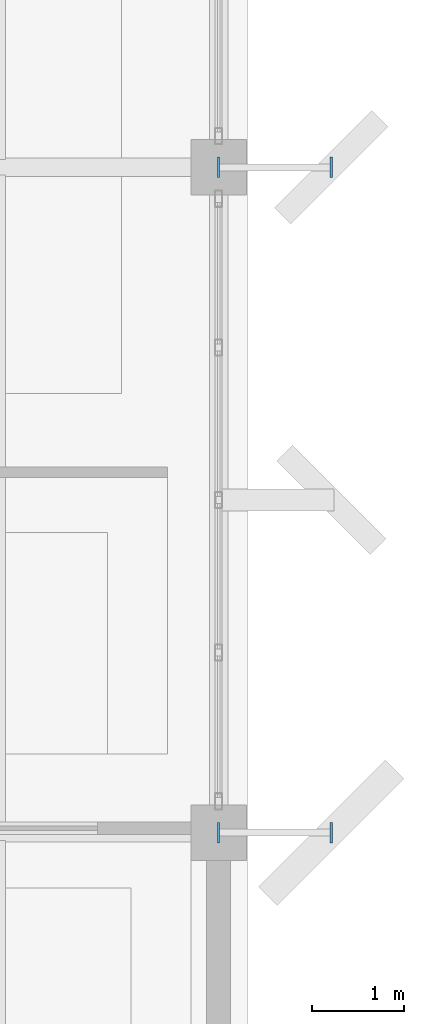
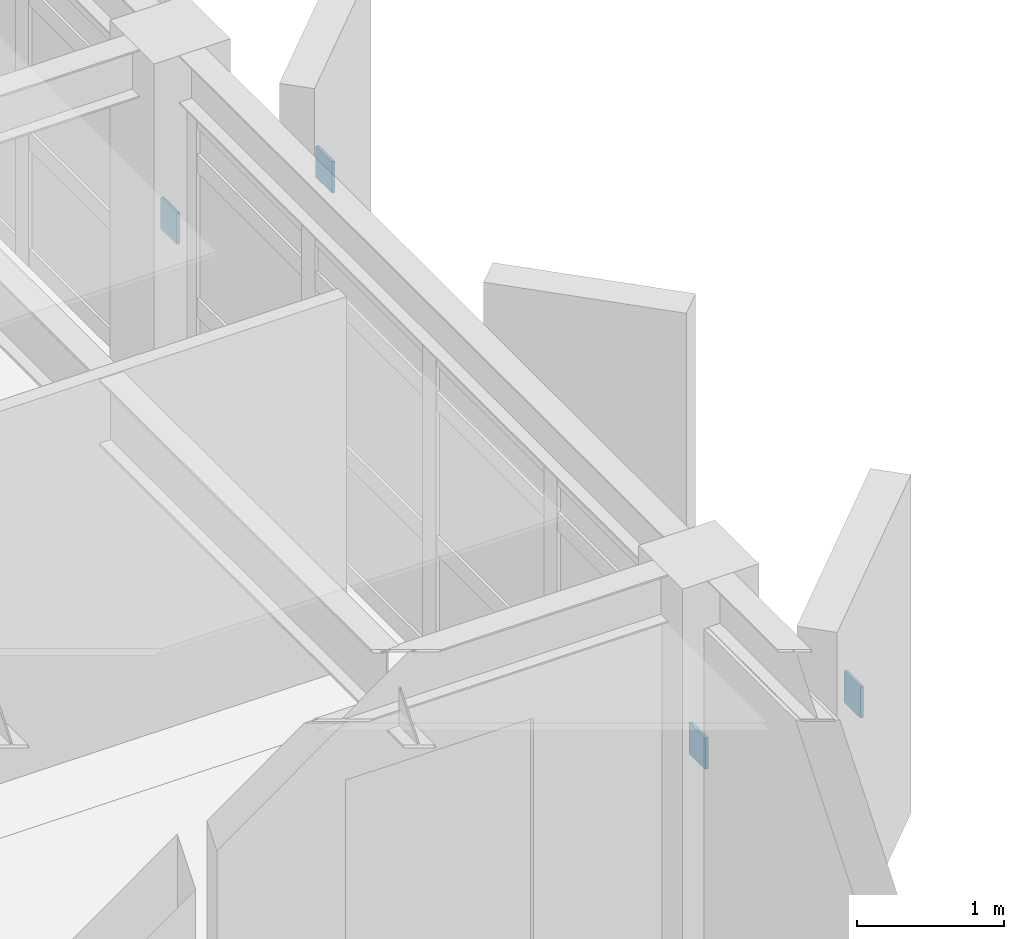
# One storey, part 14 of 15: 4 discrete accessories.
"""IFC4 building model written with IfcOpenShell, lengths in metres."""

import ifcopenshell
import ifcopenshell.guid

model = None  # the IFC model being written
_history = None  # IfcOwnerHistory: only IFC2X3 demands one
_inside = {}  # id of a spatial element -> (the spatial element, [elements in it])
_under = {}  # id of a project, library or spatial element -> (it, [spatial elements below it])
_declared = {}  # id of a project -> (the project, [libraries it declares])
_typed = {}  # id of a type object -> (the type object, [elements of that type])
_made_of = {}  # id of a material, layer set ... -> (it, [elements and type objects made of it])


def new_model(schema):
    """Start an empty IFC model of exactly this schema.

    Asked for "IFC4X3", IfcOpenShell would pick the latest addendum, in which some entities
    have other attributes; the version numbers below select the first issue.
    IFC2X3 requires an IfcOwnerHistory on every rooted entity: one is made here for all.
    """
    global model, _history
    if schema == "IFC4X3":
        model = ifcopenshell.file(schema_version=(4, 3, 0, 0))
    else:
        model = ifcopenshell.file(schema=schema)
    _inside.clear()
    _under.clear()
    _declared.clear()
    _typed.clear()
    _made_of.clear()
    _history = None
    if model.schema == "IFC2X3":
        org = make("IfcOrganization", Name="unknown")
        user = make(
            "IfcPersonAndOrganization",
            ThePerson=make("IfcPerson", FamilyName="unknown"),
            TheOrganization=org,
        )
        app = make(
            "IfcApplication",
            ApplicationDeveloper=org,
            Version="unknown",
            ApplicationFullName="unknown",
            ApplicationIdentifier="unknown",
        )
        _history = make(
            "IfcOwnerHistory",
            OwningUser=user,
            OwningApplication=app,
            ChangeAction="ADDED",
            CreationDate=0,
        )
    return model


def make(cls, **values):
    """One entity of the class cls with the attributes given. An attribute that is None is left unset."""
    return model.create_entity(
        cls, **{name: value for name, value in values.items() if value is not None}
    )


def rooted(cls, **values):
    """An entity with a GlobalId (a new one), such as an element, a storey or a relation."""
    return make(cls, GlobalId=ifcopenshell.guid.new(), OwnerHistory=_history, **values)


def si_unit(unit_type, name, prefix=None):
    """IfcSIUnit, for example si_unit("LENGTHUNIT", "METRE", prefix="MILLI")."""
    return make("IfcSIUnit", UnitType=unit_type, Prefix=prefix, Name=name)


def assignment(units):
    """IfcUnitAssignment: the units of a project."""
    return None if units is None else make("IfcUnitAssignment", Units=units)


def point(xyz):
    """IfcCartesianPoint."""
    return None if xyz is None else make("IfcCartesianPoint", Coordinates=xyz)


def direction(xyz):
    """IfcDirection."""
    return None if xyz is None else make("IfcDirection", DirectionRatios=xyz)


def frame(location, z_axis=None, x_axis=None):
    """IfcAxis2Placement3D, a coordinate frame: its origin and axes. An axis left out is left unset."""
    return make(
        "IfcAxis2Placement3D",
        Location=point(location),
        Axis=direction(z_axis),
        RefDirection=direction(x_axis),
    )


def frame_2d(location, x_axis=None):
    """IfcAxis2Placement2D, a coordinate frame in the plane: its origin and x axis."""
    return make(
        "IfcAxis2Placement2D", Location=point(location), RefDirection=direction(x_axis)
    )


def origin():
    """The frame at (0, 0, 0) with its axes left unset."""
    return frame((0.0, 0.0, 0.0))


def origin_2d():
    """The frame at (0, 0) in the plane with its x axis left unset."""
    return frame_2d((0.0, 0.0))


def place(relative_to, where):
    """IfcLocalPlacement: puts the frame where relative to a parent placement (None: the world)."""
    return make(
        "IfcLocalPlacement", PlacementRelTo=relative_to, RelativePlacement=where
    )


def context(
    kind, dimensions, precision=None, world=None, true_north=None, identifier=None
):
    """IfcGeometricRepresentationContext, for example the 3D "Model" context."""
    return make(
        "IfcGeometricRepresentationContext",
        ContextIdentifier=identifier,
        ContextType=kind,
        CoordinateSpaceDimension=dimensions,
        Precision=precision,
        WorldCoordinateSystem=world,
        TrueNorth=true_north,
    )


def subcontext(parent, identifier, kind, view, scale=None):
    """IfcGeometricRepresentationSubContext, for example "Body" below "Model"."""
    return make(
        "IfcGeometricRepresentationSubContext",
        ContextIdentifier=identifier,
        ContextType=kind,
        ParentContext=parent,
        TargetScale=scale,
        TargetView=view,
    )


def project(units=None, contexts=None):
    """IfcProject with its units and contexts."""
    return rooted(
        "IfcProject",
        Name="project",
        RepresentationContexts=contexts,
        UnitsInContext=assignment(units),
    )


def spatial(cls, under=None, at=None, **own):
    """A site, building, storey or space (cls), placed at a placement, below another one or the project."""
    s = rooted(cls, ObjectPlacement=at, **own)
    if under is not None:
        _under.setdefault(under.id(), (under, []))[1].append(s)
    return s


def profile(cls, at=None, kind="AREA", **sizes):
    """A parametric profile (cls). Its sizes go by their IFC names, for example OverallWidth=200.0."""
    return make(cls, ProfileType=kind, Position=at, **sizes)


def rectangle(**sizes):
    """IfcRectangleProfileDef."""
    return profile("IfcRectangleProfileDef", **sizes)


def extrude(swept, where, along, depth):
    """IfcExtrudedAreaSolid: the profile swept, set in the frame where, extruded along a direction by depth."""
    return make(
        "IfcExtrudedAreaSolid",
        SweptArea=swept,
        Position=where,
        ExtrudedDirection=direction(along),
        Depth=depth,
    )


def shape(context_of_items, identifier, shape_type, items):
    """IfcShapeRepresentation: the items that make up one representation, for example the "Body"."""
    return make(
        "IfcShapeRepresentation",
        ContextOfItems=context_of_items,
        RepresentationIdentifier=identifier,
        RepresentationType=shape_type,
        Items=items,
    )


def material(Name=None, Category=None):
    """IfcMaterial."""
    return make("IfcMaterial", Name=Name, Category=Category)


def made_of(thing, what):
    """Note that an element or type object is made of a material, layer set ...; save() writes the relation."""
    if what is not None:
        _made_of.setdefault(what.id(), (what, []))[1].append(thing)
    return thing


def type_object(cls, material=None, **own):
    """A type object (cls), such as IfcWallType, which elements share."""
    return made_of(rooted(cls, **own), material)


def element(
    cls,
    number,
    at=None,
    inside=None,
    cuts=None,
    type_object=None,
    material=None,
    context=None,
    identifier="Body",
    shape_type=None,
    held_by="IfcProductDefinitionShape",
    body=None,
    shapes=None,
    **own,
):
    """One element of the class cls, such as IfcWall. Its Tag is "e" and its number.

    at: its placement. inside: the storey or other place that contains it. cuts: it is an
    opening in that element (IfcRelVoidsElement). A single representation is given by context,
    identifier, shape_type and body (its items); several are given by shapes. held_by: the class
    of the entity that holds the representations. save() writes the other relations.
    """
    e = rooted(cls, Tag="e%d" % number, ObjectPlacement=at, **own)
    if body is not None:
        shapes = [shape(context, identifier, shape_type, body)]
    if shapes is not None:
        e.Representation = make(held_by, Representations=shapes)
    if inside is not None:
        _inside.setdefault(inside.id(), (inside, []))[1].append(e)
    if cuts is not None:
        rooted(
            "IfcRelVoidsElement", RelatingBuildingElement=cuts, RelatedOpeningElement=e
        )
    if type_object is not None:
        _typed.setdefault(type_object.id(), (type_object, []))[1].append(e)
    return made_of(e, material)


def aggregate(whole, parts):
    """IfcRelAggregates: a whole, such as a stair, and the parts it consists of."""
    return rooted("IfcRelAggregates", RelatingObject=whole, RelatedObjects=parts)


def save(model, path):
    """Write the relations noted so far, then the file.

    IfcRelAggregates (storeys below a building ...), IfcRelContainedInSpatialStructure (elements
    in a storey), IfcRelDefinesByType, IfcRelAssociatesMaterial and IfcRelDeclares: one each for
    every whole, place, type object, material and project.
    """
    for whole, parts in _under.values():
        aggregate(whole, parts)
    for where, things in _inside.values():
        rooted(
            "IfcRelContainedInSpatialStructure",
            RelatedElements=things,
            RelatingStructure=where,
        )
    for kind, things in _typed.values():
        rooted("IfcRelDefinesByType", RelatedObjects=things, RelatingType=kind)
    for what, things in _made_of.values():
        rooted("IfcRelAssociatesMaterial", RelatedObjects=things, RelatingMaterial=what)
    for by, libraries in _declared.values():
        rooted("IfcRelDeclares", RelatingContext=by, RelatedDefinitions=libraries)
    model.write(path)


model = new_model("IFC4")

# Units and contexts
model_context = context("Model", 3, precision=1e-05, world=origin(), true_north=direction((0.0, 1.0)))
body_context = subcontext(model_context, "Body", "Model", "MODEL_VIEW")
ifc_project = project(units=[si_unit("LENGTHUNIT", "METRE"), si_unit("AREAUNIT", "SQUARE_METRE"), si_unit("VOLUMEUNIT", "CUBIC_METRE"), si_unit("PLANEANGLEUNIT", "RADIAN"), si_unit("MASSUNIT", "GRAM", prefix="KILO")], contexts=[model_context])

# Site, building, storey
site_placement = place(None, origin())
site = spatial("IfcSite", under=ifc_project, at=site_placement, CompositionType="ELEMENT")
building_placement = place(site_placement, origin())
building = spatial("IfcBuilding", under=site, at=building_placement, Name="Kandorven Conservatory and Botanical Research Centre", CompositionType="ELEMENT")
storey_placement = place(building_placement, frame((0.0, 0.0, 56.10009765625)))
storey = spatial("IfcBuildingStorey", under=building, at=storey_placement, Name="L14", CompositionType="ELEMENT", Elevation=56.10009765625)

# Discrete accessories
ifc_material = material(Name="Steel S355 (IS 2062 E350)", Category="steel")
discrete_accessory_type = type_object("IfcDiscreteAccessoryType", Name="SteelGussetPlate", PredefinedType="BRACKET", material=ifc_material)
for number, where, z_axis, x_axis, name in (
    (1, (34.800048828125, 13.199951171875, 1.3701171875), (0.0, 0.0, 1.0), (1.0, 0.0, 0.0), "Welded steel strut end-plate GUS-01 #129A"),
    (2, (36.02001953125, 13.199951171875, 1.3701171875), (0.0, 0.0, 1.0), (1.0, 0.0, 0.0), "Welded steel strut end-plate GUS-01 #129B"),
    (3, (34.800048828125, 20.39990234375, 1.3701171875), (0.0, 0.0, 1.0), (1.0, 0.0, 0.0), "Welded steel strut end-plate GUS-01 #131A"),
    (4, (36.02001953125, 20.39990234375, 1.3701171875), (0.0, 0.0, 1.0), (1.0, 0.0, 0.0), "Welded steel strut end-plate GUS-01 #131B"),
):
    element("IfcDiscreteAccessory", number, at=place(storey_placement, frame(where, z_axis=z_axis, x_axis=x_axis)), inside=storey, type_object=discrete_accessory_type, Name=name, PredefinedType="BRACKET", context=body_context, shape_type="SweptSolid", body=[
        extrude(rectangle(XDim=0.02392578125, YDim=0.219970703125, at=origin_2d()), origin(), (0.0, 0.0, 1.0), 0.260009765625),
    ])

save(model, "model.ifc")
